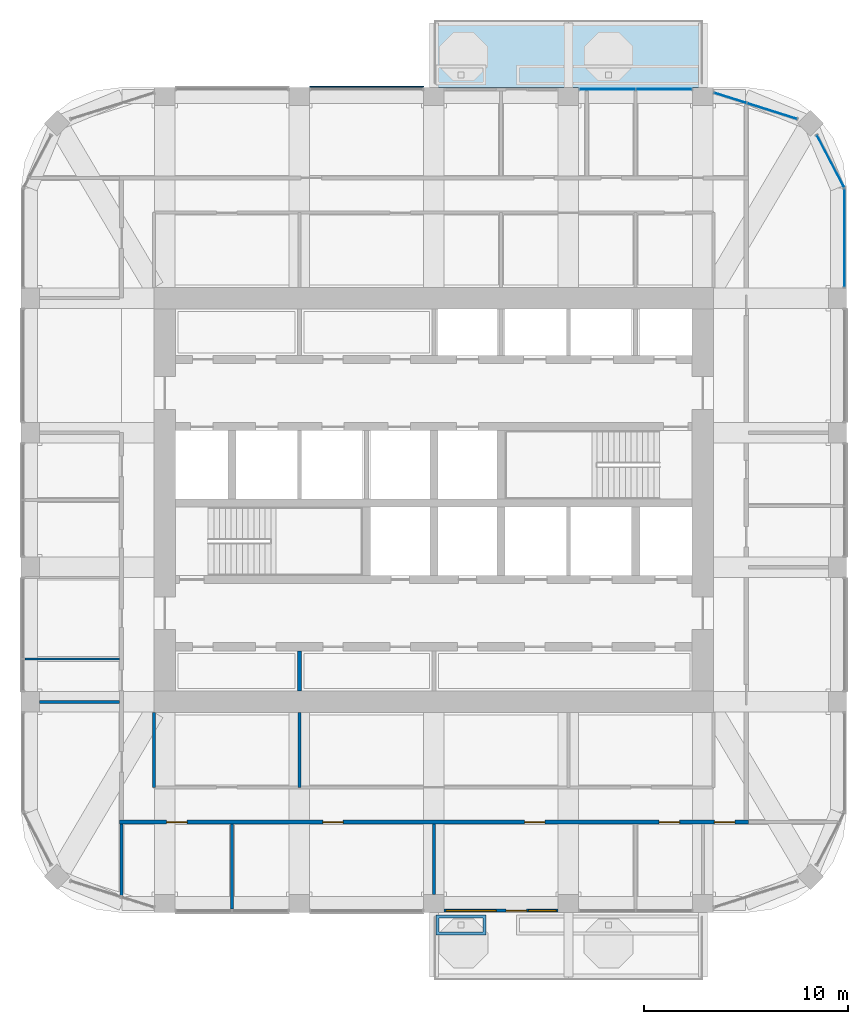
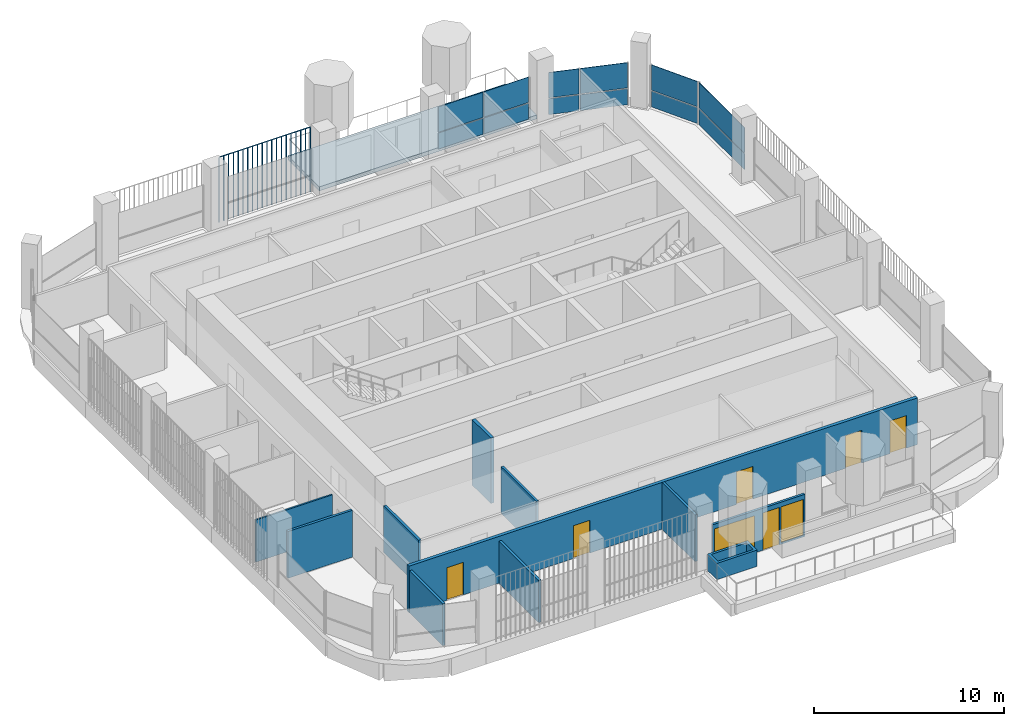
# One storey, part 13 of 21: 13 plates, 11 walls, 6 doors, 2 windows, 1 slab, 8 openings, 4 elements without a shape of their own.
"""IFC4 building model written with IfcOpenShell, lengths in metres."""

from ifc_helpers import new_model, si_unit, direction, frame, frame_2d, origin, origin_2d, place, context, subcontext, project, spatial, polyline, rectangle, outline, extrude, material, layer, layer_set, type_object, element, fill, aggregate, save


model = new_model("IFC4")

# Units and contexts
model_context = context("Model", 3, precision=1e-05, world=origin(), true_north=direction((0.0, 1.0)))
body_context = subcontext(model_context, "Body", "Model", "MODEL_VIEW")
ifc_project = project(units=[si_unit("LENGTHUNIT", "METRE"), si_unit("AREAUNIT", "SQUARE_METRE"), si_unit("VOLUMEUNIT", "CUBIC_METRE"), si_unit("PLANEANGLEUNIT", "RADIAN"), si_unit("MASSUNIT", "GRAM", prefix="KILO")], contexts=[model_context])

# Site, building, storey
site_placement = place(None, origin())
site = spatial("IfcSite", under=ifc_project, at=site_placement, CompositionType="ELEMENT")
building_placement = place(site_placement, origin())
building = spatial("IfcBuilding", under=site, at=building_placement, Name="Cobogo Forest Laboratory Tower", CompositionType="ELEMENT")
storey_placement = place(building_placement, frame((0.0, 0.0, 283.800048828125)))
storey = spatial("IfcBuildingStorey", under=building, at=storey_placement, Name="L65", CompositionType="ELEMENT", Elevation=283.800048828125)

# Slab
ifc_material_1 = material(Name="Concrete HA-40 (C40/50)", Category="concrete")
ifc_layer_1 = layer(ifc_material_1, 0.25)
ifc_layer_set_1 = layer_set([ifc_layer_1], Name="Balcony slab 250")
slab_type = type_object("IfcSlabType", Name="Balcony slab 250", PredefinedType="FLOOR", material=ifc_layer_set_1)
slab_placement = place(storey_placement, frame((0.0, 0.0, -0.25)))
element("IfcSlab", 1, at=slab_placement, inside=storey, type_object=slab_type, Name="Balcony BAL-N1 L65", PredefinedType="FLOOR", context=body_context, shape_type="SweptSolid", body=[
    extrude(outline(polyline([(26.39990234375, 43.35009765625), (39.60009765625, 43.35009765625), (39.60009765625, 46.64990234375), (26.39990234375, 46.64990234375), (26.39990234375, 43.35009765625)])), origin(), (0.0, 0.0, 1.0), 0.25),
])

# Curtain wall, plates
ifc_material_2 = material(Name="Aluminium curtain wall", Category="aluminium")
curtain_wall_type = type_object("IfcCurtainWallType", Name="CW-2 unitised curtain wall, solar control glazing, laboratory floors zones C and D", PredefinedType="USERDEFINED", material=ifc_material_2)
curtain_wall_1_placement = place(storey_placement, origin())
curtain_wall_1 = element("IfcCurtainWall", 2, at=curtain_wall_1_placement, inside=storey, type_object=curtain_wall_type, Name="Curtain wall 11 L65", ObjectType="UNITISED CURTAIN WALL", PredefinedType="USERDEFINED")
ifc_material_3 = material(Name="Solar control insulated glass", Category="glass")
ifc_layer_2 = layer(ifc_material_3, 0.031982421875)
ifc_layer_set_2 = layer_set([ifc_layer_2], Name="GP-2 solar control glass unit 32")
plate_type_1 = type_object("IfcPlateType", Name="GP-2 solar control glass unit 32", PredefinedType="CURTAIN_PANEL", material=ifc_layer_set_2)
plate_1_placement = place(storey_placement, frame((46.550048828125, 35.949951171875, 0.0), z_axis=(0.0, 0.0, 1.0), x_axis=(0.0, 1.0, 0.0)))
plate_1 = element("IfcPlate", 3, at=plate_1_placement, type_object=plate_type_1, Name="CW-2 panel 1.1", PredefinedType="CURTAIN_PANEL", context=body_context, shape_type="SweptSolid", body=[
    extrude(rectangle(XDim=4.780029296875, YDim=0.031982421875, at=origin_2d()), origin(), (0.0, 0.0, 1.0), 1.02001953125),
])
plate_2_placement = place(storey_placement, frame((46.550048828125, 35.949951171875, 1.079833984375), z_axis=(0.0, 0.0, 1.0), x_axis=(0.0, 1.0, 0.0)))
plate_2 = element("IfcPlate", 4, at=plate_2_placement, type_object=plate_type_1, Name="CW-2 panel 1.2", PredefinedType="CURTAIN_PANEL", context=body_context, shape_type="SweptSolid", body=[
    extrude(rectangle(XDim=4.780029296875, YDim=0.031982421875, at=origin_2d()), origin(), (0.0, 0.0, 1.0), 1.6201171875),
])
aggregate(curtain_wall_1, [plate_1, plate_2])

curtain_wall_2_placement = place(storey_placement, origin())
curtain_wall_2 = element("IfcCurtainWall", 5, at=curtain_wall_2_placement, inside=storey, type_object=curtain_wall_type, Name="Curtain wall 12 L65", ObjectType="UNITISED CURTAIN WALL", PredefinedType="USERDEFINED")
plate_3_placement = place(storey_placement, frame((45.85693359375, 39.721923828125, 0.0), z_axis=(0.0, 0.0, 1.0), x_axis=(-0.464283778337, 0.885686498245, 0.0)))
plate_3 = element("IfcPlate", 6, at=plate_3_placement, type_object=plate_type_1, Name="CW-2 panel 1.1", PredefinedType="CURTAIN_PANEL", context=body_context, shape_type="SweptSolid", body=[
    extrude(rectangle(XDim=2.864990234375, YDim=0.031982421875, at=origin_2d()), origin(), (0.0, 0.0, 1.0), 1.02001953125),
])
plate_4_placement = place(storey_placement, frame((45.85693359375, 39.721923828125, 1.079833984375), z_axis=(0.0, 0.0, 1.0), x_axis=(-0.464283778337, 0.885686498245, 0.0)))
plate_4 = element("IfcPlate", 7, at=plate_4_placement, type_object=plate_type_1, Name="CW-2 panel 1.2", PredefinedType="CURTAIN_PANEL", context=body_context, shape_type="SweptSolid", body=[
    extrude(rectangle(XDim=2.864990234375, YDim=0.031982421875, at=origin_2d()), origin(), (0.0, 0.0, 1.0), 1.6201171875),
])
aggregate(curtain_wall_2, [plate_3, plate_4])

curtain_wall_3_placement = place(storey_placement, origin())
curtain_wall_3 = element("IfcCurtainWall", 8, at=curtain_wall_3_placement, inside=storey, type_object=curtain_wall_type, Name="Curtain wall 13 L65", ObjectType="UNITISED CURTAIN WALL", PredefinedType="USERDEFINED")
plate_5_placement = place(storey_placement, frame((42.989501953125, 42.1796875, 0.0), z_axis=(0.0, 0.0, 1.0), x_axis=(-0.953581379409, 0.301135439371, 0.0)))
plate_5 = element("IfcPlate", 9, at=plate_5_placement, type_object=plate_type_1, Name="CW-2 panel 1.1", PredefinedType="CURTAIN_PANEL", context=body_context, shape_type="SweptSolid", body=[
    extrude(rectangle(XDim=2.541748046875, YDim=0.031982421875, at=origin_2d()), origin(), (0.0, 0.0, 1.0), 1.02001953125),
])
plate_6_placement = place(storey_placement, frame((42.989501953125, 42.1796875, 1.079833984375), z_axis=(0.0, 0.0, 1.0), x_axis=(-0.953581379409, 0.301135439371, 0.0)))
plate_6 = element("IfcPlate", 10, at=plate_6_placement, type_object=plate_type_1, Name="CW-2 panel 1.2", PredefinedType="CURTAIN_PANEL", context=body_context, shape_type="SweptSolid", body=[
    extrude(rectangle(XDim=2.541748046875, YDim=0.031982421875, at=origin_2d()), origin(), (0.0, 0.0, 1.0), 1.6201171875),
])
plate_7_placement = place(storey_placement, frame((40.93896484375, 42.8271484375, 0.0), z_axis=(0.0, 0.0, 1.0), x_axis=(-0.953581379409, 0.301135439371, 0.0)))
plate_7 = element("IfcPlate", 11, at=plate_7_placement, type_object=plate_type_1, Name="CW-2 panel 2.1", PredefinedType="CURTAIN_PANEL", context=body_context, shape_type="SweptSolid", body=[
    extrude(rectangle(XDim=1.639404296875, YDim=0.031982421875, at=origin_2d()), origin(), (0.0, 0.0, 1.0), 1.02001953125),
])
plate_8_placement = place(storey_placement, frame((40.93896484375, 42.8271484375, 1.079833984375), z_axis=(0.0, 0.0, 1.0), x_axis=(-0.953581379409, 0.301135439371, 0.0)))
plate_8 = element("IfcPlate", 12, at=plate_8_placement, type_object=plate_type_1, Name="CW-2 panel 2.2", PredefinedType="CURTAIN_PANEL", context=body_context, shape_type="SweptSolid", body=[
    extrude(rectangle(XDim=1.639404296875, YDim=0.031982421875, at=origin_2d()), origin(), (0.0, 0.0, 1.0), 1.6201171875),
])
aggregate(curtain_wall_3, [plate_5, plate_6, plate_7, plate_8])

curtain_wall_4_placement = place(storey_placement, origin())
curtain_wall_4 = element("IfcCurtainWall", 13, at=curtain_wall_4_placement, inside=storey, type_object=curtain_wall_type, Name="Curtain wall 14 L65", ObjectType="UNITISED CURTAIN WALL", PredefinedType="USERDEFINED")
plate_9_placement = place(storey_placement, frame((37.68505859375, 43.25, 0.0), z_axis=(0.0, 0.0, 1.0), x_axis=(-1.0, 0.0, 0.0)))
plate_9 = element("IfcPlate", 14, at=plate_9_placement, type_object=plate_type_1, Name="CW-2 panel 1.1", PredefinedType="CURTAIN_PANEL", context=body_context, shape_type="SweptSolid", body=[
    extrude(rectangle(XDim=2.7099609375, YDim=0.031982421875, at=origin_2d()), origin(), (0.0, 0.0, 1.0), 1.02001953125),
])
plate_10_placement = place(storey_placement, frame((37.68505859375, 43.25, 1.079833984375), z_axis=(0.0, 0.0, 1.0), x_axis=(-1.0, 0.0, 0.0)))
plate_10 = element("IfcPlate", 15, at=plate_10_placement, type_object=plate_type_1, Name="CW-2 panel 1.2", PredefinedType="CURTAIN_PANEL", context=body_context, shape_type="SweptSolid", body=[
    extrude(rectangle(XDim=2.7099609375, YDim=0.031982421875, at=origin_2d()), origin(), (0.0, 0.0, 1.0), 1.6201171875),
])
plate_11_placement = place(storey_placement, frame((34.9150390625, 43.25, 0.0), z_axis=(0.0, 0.0, 1.0), x_axis=(-1.0, 0.0, 0.0)))
plate_11 = element("IfcPlate", 16, at=plate_11_placement, type_object=plate_type_1, Name="CW-2 panel 2.1", PredefinedType="CURTAIN_PANEL", context=body_context, shape_type="SweptSolid", body=[
    extrude(rectangle(XDim=2.7099609375, YDim=0.031982421875, at=origin_2d()), origin(), (0.0, 0.0, 1.0), 1.02001953125),
])
plate_12_placement = place(storey_placement, frame((34.9150390625, 43.25, 1.079833984375), z_axis=(0.0, 0.0, 1.0), x_axis=(-1.0, 0.0, 0.0)))
plate_12 = element("IfcPlate", 17, at=plate_12_placement, type_object=plate_type_1, Name="CW-2 panel 2.2", PredefinedType="CURTAIN_PANEL", context=body_context, shape_type="SweptSolid", body=[
    extrude(rectangle(XDim=2.7099609375, YDim=0.031982421875, at=origin_2d()), origin(), (0.0, 0.0, 1.0), 1.6201171875),
])
aggregate(curtain_wall_4, [plate_9, plate_10, plate_11, plate_12])

# Plate
ifc_material_4 = material(Name="Terracotta", Category="masonry")
plate_type_2 = type_object("IfcPlateType", Name="TB1 terracotta baguette screen", PredefinedType="USERDEFINED", material=ifc_material_4)
plate_13_placement = place(storey_placement, frame((20.331298828125, 43.3779296875, -0.150146484375)))
element("IfcPlate", 18, at=plate_13_placement, inside=storey, type_object=plate_type_2, Name="Baguette screen N2 L65", ObjectType="BAGUETTE SCREEN", PredefinedType="USERDEFINED", context=body_context, shape_type="SweptSolid", body=[
    extrude(outline(polyline([(0.02880859375, 0.011962890625), (0.011962890625, 0.02880859375), (-0.011962890625, 0.02880859375), (-0.02880859375, 0.011962890625), (-0.02880859375, -0.011962890625), (-0.011962890625, -0.02880859375), (0.011962890625, -0.02880859375), (0.02880859375, -0.011962890625), (0.02880859375, 0.011962890625)])), frame((0.0, 0.0, 4.168701171875), z_axis=(1.0, 0.0, 0.0), x_axis=(0.0, 1.0, 0.0)), (0.0, 0.0, 1.0), 5.537353515625),
    extrude(outline(polyline([(0.02880859375, 0.011962890625), (0.011962890625, 0.02880859375), (-0.011962890625, 0.02880859375), (-0.02880859375, 0.011962890625), (-0.02880859375, -0.011962890625), (-0.011962890625, -0.02880859375), (0.011962890625, -0.02880859375), (0.02880859375, -0.011962890625), (0.02880859375, 0.011962890625)])), origin(), (0.0, 0.0, 1.0), 4.137451171875),
    extrude(outline(polyline([(0.02880859375, 0.011962890625), (0.011962890625, 0.02880859375), (-0.011962890625, 0.02880859375), (-0.02880859375, 0.011962890625), (-0.02880859375, -0.011962890625), (-0.011962890625, -0.02880859375), (0.011962890625, -0.02880859375), (0.02880859375, -0.011962890625), (0.02880859375, 0.011962890625)])), frame((0.29150390625, 0.0, 0.0)), (0.0, 0.0, 1.0), 4.137451171875),
    extrude(outline(polyline([(0.02880859375, 0.011962890625), (0.011962890625, 0.02880859375), (-0.011962890625, 0.02880859375), (-0.02880859375, 0.011962890625), (-0.02880859375, -0.011962890625), (-0.011962890625, -0.02880859375), (0.011962890625, -0.02880859375), (0.02880859375, -0.011962890625), (0.02880859375, 0.011962890625)])), frame((0.582763671875, 0.0, 0.0)), (0.0, 0.0, 1.0), 4.137451171875),
    extrude(outline(polyline([(0.02880859375, 0.011962890625), (0.011962890625, 0.02880859375), (-0.011962890625, 0.02880859375), (-0.02880859375, 0.011962890625), (-0.02880859375, -0.011962890625), (-0.011962890625, -0.02880859375), (0.011962890625, -0.02880859375), (0.02880859375, -0.011962890625), (0.02880859375, 0.011962890625)])), frame((0.874267578125, 0.0, 0.0)), (0.0, 0.0, 1.0), 4.137451171875),
    extrude(outline(polyline([(0.02880859375, 0.011962890625), (0.011962890625, 0.02880859375), (-0.011962890625, 0.02880859375), (-0.02880859375, 0.011962890625), (-0.02880859375, -0.011962890625), (-0.011962890625, -0.02880859375), (0.011962890625, -0.02880859375), (0.02880859375, -0.011962890625), (0.02880859375, 0.011962890625)])), frame((1.165771484375, 0.0, 0.0)), (0.0, 0.0, 1.0), 4.137451171875),
    extrude(outline(polyline([(0.02880859375, 0.011962890625), (0.011962890625, 0.02880859375), (-0.011962890625, 0.02880859375), (-0.02880859375, 0.011962890625), (-0.02880859375, -0.011962890625), (-0.011962890625, -0.02880859375), (0.011962890625, -0.02880859375), (0.02880859375, -0.011962890625), (0.02880859375, 0.011962890625)])), frame((1.457275390625, 0.0, 0.0)), (0.0, 0.0, 1.0), 4.137451171875),
    extrude(outline(polyline([(0.02880859375, 0.011962890625), (0.011962890625, 0.02880859375), (-0.011962890625, 0.02880859375), (-0.02880859375, 0.011962890625), (-0.02880859375, -0.011962890625), (-0.011962890625, -0.02880859375), (0.011962890625, -0.02880859375), (0.02880859375, -0.011962890625), (0.02880859375, 0.011962890625)])), frame((1.74853515625, 0.0, 0.0)), (0.0, 0.0, 1.0), 4.137451171875),
    extrude(outline(polyline([(0.02880859375, 0.011962890625), (0.011962890625, 0.02880859375), (-0.011962890625, 0.02880859375), (-0.02880859375, 0.011962890625), (-0.02880859375, -0.011962890625), (-0.011962890625, -0.02880859375), (0.011962890625, -0.02880859375), (0.02880859375, -0.011962890625), (0.02880859375, 0.011962890625)])), frame((2.0400390625, 0.0, 0.0)), (0.0, 0.0, 1.0), 4.137451171875),
    extrude(outline(polyline([(0.02880859375, 0.011962890625), (0.011962890625, 0.02880859375), (-0.011962890625, 0.02880859375), (-0.02880859375, 0.011962890625), (-0.02880859375, -0.011962890625), (-0.011962890625, -0.02880859375), (0.011962890625, -0.02880859375), (0.02880859375, -0.011962890625), (0.02880859375, 0.011962890625)])), frame((2.33154296875, 0.0, 0.0)), (0.0, 0.0, 1.0), 4.137451171875),
    extrude(outline(polyline([(0.02880859375, 0.011962890625), (0.011962890625, 0.02880859375), (-0.011962890625, 0.02880859375), (-0.02880859375, 0.011962890625), (-0.02880859375, -0.011962890625), (-0.011962890625, -0.02880859375), (0.011962890625, -0.02880859375), (0.02880859375, -0.011962890625), (0.02880859375, 0.011962890625)])), frame((2.623046875, 0.0, 0.0)), (0.0, 0.0, 1.0), 4.137451171875),
    extrude(outline(polyline([(0.02880859375, 0.011962890625), (0.011962890625, 0.02880859375), (-0.011962890625, 0.02880859375), (-0.02880859375, 0.011962890625), (-0.02880859375, -0.011962890625), (-0.011962890625, -0.02880859375), (0.011962890625, -0.02880859375), (0.02880859375, -0.011962890625), (0.02880859375, 0.011962890625)])), frame((2.914306640625, 0.0, 0.0)), (0.0, 0.0, 1.0), 4.137451171875),
    extrude(outline(polyline([(0.02880859375, 0.011962890625), (0.011962890625, 0.02880859375), (-0.011962890625, 0.02880859375), (-0.02880859375, 0.011962890625), (-0.02880859375, -0.011962890625), (-0.011962890625, -0.02880859375), (0.011962890625, -0.02880859375), (0.02880859375, -0.011962890625), (0.02880859375, 0.011962890625)])), frame((3.205810546875, 0.0, 0.0)), (0.0, 0.0, 1.0), 4.137451171875),
    extrude(outline(polyline([(0.02880859375, 0.011962890625), (0.011962890625, 0.02880859375), (-0.011962890625, 0.02880859375), (-0.02880859375, 0.011962890625), (-0.02880859375, -0.011962890625), (-0.011962890625, -0.02880859375), (0.011962890625, -0.02880859375), (0.02880859375, -0.011962890625), (0.02880859375, 0.011962890625)])), frame((3.497314453125, 0.0, 0.0)), (0.0, 0.0, 1.0), 4.137451171875),
    extrude(outline(polyline([(0.02880859375, 0.011962890625), (0.011962890625, 0.02880859375), (-0.011962890625, 0.02880859375), (-0.02880859375, 0.011962890625), (-0.02880859375, -0.011962890625), (-0.011962890625, -0.02880859375), (0.011962890625, -0.02880859375), (0.02880859375, -0.011962890625), (0.02880859375, 0.011962890625)])), frame((3.788818359375, 0.0, 0.0)), (0.0, 0.0, 1.0), 4.137451171875),
    extrude(outline(polyline([(0.02880859375, 0.011962890625), (0.011962890625, 0.02880859375), (-0.011962890625, 0.02880859375), (-0.02880859375, 0.011962890625), (-0.02880859375, -0.011962890625), (-0.011962890625, -0.02880859375), (0.011962890625, -0.02880859375), (0.02880859375, -0.011962890625), (0.02880859375, 0.011962890625)])), frame((4.080078125, 0.0, 0.0)), (0.0, 0.0, 1.0), 4.137451171875),
    extrude(outline(polyline([(0.02880859375, 0.011962890625), (0.011962890625, 0.02880859375), (-0.011962890625, 0.02880859375), (-0.02880859375, 0.011962890625), (-0.02880859375, -0.011962890625), (-0.011962890625, -0.02880859375), (0.011962890625, -0.02880859375), (0.02880859375, -0.011962890625), (0.02880859375, 0.011962890625)])), frame((4.37158203125, 0.0, 0.0)), (0.0, 0.0, 1.0), 4.137451171875),
    extrude(outline(polyline([(0.02880859375, 0.011962890625), (0.011962890625, 0.02880859375), (-0.011962890625, 0.02880859375), (-0.02880859375, 0.011962890625), (-0.02880859375, -0.011962890625), (-0.011962890625, -0.02880859375), (0.011962890625, -0.02880859375), (0.02880859375, -0.011962890625), (0.02880859375, 0.011962890625)])), frame((4.6630859375, 0.0, 0.0)), (0.0, 0.0, 1.0), 4.137451171875),
    extrude(outline(polyline([(0.02880859375, 0.011962890625), (0.011962890625, 0.02880859375), (-0.011962890625, 0.02880859375), (-0.02880859375, 0.011962890625), (-0.02880859375, -0.011962890625), (-0.011962890625, -0.02880859375), (0.011962890625, -0.02880859375), (0.02880859375, -0.011962890625), (0.02880859375, 0.011962890625)])), frame((4.95458984375, 0.0, 0.0)), (0.0, 0.0, 1.0), 4.137451171875),
    extrude(outline(polyline([(0.02880859375, 0.011962890625), (0.011962890625, 0.02880859375), (-0.011962890625, 0.02880859375), (-0.02880859375, 0.011962890625), (-0.02880859375, -0.011962890625), (-0.011962890625, -0.02880859375), (0.011962890625, -0.02880859375), (0.02880859375, -0.011962890625), (0.02880859375, 0.011962890625)])), frame((5.245849609375, 0.0, 0.0)), (0.0, 0.0, 1.0), 4.137451171875),
    extrude(outline(polyline([(0.02880859375, 0.011962890625), (0.011962890625, 0.02880859375), (-0.011962890625, 0.02880859375), (-0.02880859375, 0.011962890625), (-0.02880859375, -0.011962890625), (-0.011962890625, -0.02880859375), (0.011962890625, -0.02880859375), (0.02880859375, -0.011962890625), (0.02880859375, 0.011962890625)])), frame((5.537353515625, 0.0, 0.0)), (0.0, 0.0, 1.0), 4.137451171875),
])

# Wall, openings, door, windows
ifc_material_5 = material(Name="Aluminium framed glazed screen", Category="aluminium")
ifc_layer_3 = layer(ifc_material_5, 0.14990234375)
ifc_layer_set_3 = layer_set([ifc_layer_3], Name="GS1 glazed door screen 150")
wall_type_1 = type_object("IfcWallType", Name="GS1 glazed door screen 150", PredefinedType="SOLIDWALL", material=ifc_layer_set_3)
wall_1_placement = place(storey_placement, frame((26.89990234375, 2.949951171875, 0.0), z_axis=(0.0, 0.0, 1.0), x_axis=(1.0, 0.0, 0.0)))
wall_1 = element("IfcWall", 19, at=wall_1_placement, inside=storey, type_object=wall_type_1, Name="Door screen BAL-S1 L65", PredefinedType="SOLIDWALL", context=body_context, shape_type="SweptSolid", body=[
    extrude(rectangle(XDim=5.60009765625, YDim=0.14990234375, at=frame_2d((2.800048828125, 0.0))), origin(), (0.0, 0.0, 1.0), 2.699951171875),
])
opening_1_placement = place(wall_1_placement, frame((3.050048828125, 0.0, 0.0)))
opening_1 = element("IfcOpeningElement", 20, at=opening_1_placement, cuts=wall_1, Name="Opening L65-D01", PredefinedType="OPENING", context=body_context, shape_type="SweptSolid", body=[
    extrude(rectangle(XDim=1.0, YDim=2.39990234375, at=frame_2d((0.5, 1.199951171875))), frame((0.0, 0.0849609375, 0.0), z_axis=(0.0, -1.0, 0.0), x_axis=(1.0, 0.0, 0.0)), (0.0, 0.0, 1.0), 0.169921875),
])
opening_2_placement = place(wall_1_placement, frame((0.10009765625, 0.0, 0.10009765625)))
opening_2 = element("IfcOpeningElement", 21, at=opening_2_placement, cuts=wall_1, Name="Opening L65-W01", PredefinedType="OPENING", context=body_context, shape_type="SweptSolid", body=[
    extrude(rectangle(XDim=2.449951171875, YDim=2.300048828125, at=frame_2d((1.22509765625, 1.14990234375))), frame((0.0, 0.0849609375, 0.0), z_axis=(0.0, -1.0, 0.0), x_axis=(1.0, 0.0, 0.0)), (0.0, 0.0, 1.0), 0.169921875),
])
opening_3_placement = place(wall_1_placement, frame((4.14990234375, 0.0, 0.10009765625)))
opening_3 = element("IfcOpeningElement", 22, at=opening_3_placement, cuts=wall_1, Name="Opening L65-W02", PredefinedType="OPENING", context=body_context, shape_type="SweptSolid", body=[
    extrude(rectangle(XDim=1.35009765625, YDim=2.300048828125, at=frame_2d((0.675048828125, 1.14990234375))), frame((0.0, 0.0849609375, 0.0), z_axis=(0.0, -1.0, 0.0), x_axis=(1.0, 0.0, 0.0)), (0.0, 0.0, 1.0), 0.169921875),
])
ifc_material_6 = material(Name="Aluminium glazed door", Category="aluminium")
door_type_1 = type_object("IfcDoorType", Name="DB1 balcony door 1000 glazed", OperationType="SINGLE_SWING_LEFT", PredefinedType="DOOR", material=ifc_material_6)
door_1_placement = place(opening_1_placement, origin())
door_1 = element("IfcDoor", 23, at=door_1_placement, inside=storey, type_object=door_type_1, Name="Door L65-BAL-S1", OperationType="SINGLE_SWING_RIGHT", OverallHeight=2.39990234375, OverallWidth=1.0, PredefinedType="DOOR", context=body_context, shape_type="SweptSolid", body=[
    extrude(rectangle(XDim=1.0, YDim=2.39990234375, at=frame_2d((0.5, 1.199951171875))), frame((0.0, 0.02490234375, 0.0), z_axis=(0.0, -1.0, 0.0), x_axis=(1.0, 0.0, 0.0)), (0.0, 0.0, 1.0), 0.050048828125),
])
fill(opening_1, door_1)
ifc_material_7 = material(Name="Aluminium framed glazing", Category="aluminium")
window_type_1 = type_object("IfcWindowType", Name="WG23 fixed glazed light 2450x2300", PartitioningType="SINGLE_PANEL", PredefinedType="WINDOW", material=ifc_material_7)
window_1_placement = place(opening_2_placement, origin())
window_1 = element("IfcWindow", 24, at=window_1_placement, inside=storey, type_object=window_type_1, Name="Window L65-BAL-S1-1", OverallHeight=2.300048828125, OverallWidth=2.449951171875, PartitioningType="SINGLE_PANEL", PredefinedType="WINDOW", context=body_context, shape_type="SweptSolid", body=[
    extrude(rectangle(XDim=2.449951171875, YDim=2.300048828125, at=frame_2d((1.22509765625, 1.14990234375))), frame((0.0, 0.030029296875, 0.0), z_axis=(0.0, -1.0, 0.0), x_axis=(1.0, 0.0, 0.0)), (0.0, 0.0, 1.0), 0.06005859375),
])
fill(opening_2, window_1)
window_type_2 = type_object("IfcWindowType", Name="WG24 fixed glazed light 1350x2300", PartitioningType="SINGLE_PANEL", PredefinedType="WINDOW", material=ifc_material_7)
window_2_placement = place(opening_3_placement, origin())
window_2 = element("IfcWindow", 25, at=window_2_placement, inside=storey, type_object=window_type_2, Name="Window L65-BAL-S1-2", OverallHeight=2.300048828125, OverallWidth=1.35009765625, PartitioningType="SINGLE_PANEL", PredefinedType="WINDOW", context=body_context, shape_type="SweptSolid", body=[
    extrude(rectangle(XDim=1.35009765625, YDim=2.300048828125, at=frame_2d((0.675048828125, 1.14990234375))), frame((0.0, 0.030029296875, 0.0), z_axis=(0.0, -1.0, 0.0), x_axis=(1.0, 0.0, 0.0)), (0.0, 0.0, 1.0), 0.06005859375),
])
fill(opening_3, window_2)

# Walls
ifc_material_8 = material(Name="Gypsum board on steel studs", Category="steel")
ifc_layer_4 = layer(ifc_material_8, 0.14990234375)
ifc_layer_set_4 = layer_set([ifc_layer_4], Name="PT1 laboratory partition 150")
wall_type_2 = type_object("IfcWallType", Name="PT1 laboratory partition 150", PredefinedType="PARTITIONING", material=ifc_layer_set_4)
for number, where, z_axis, x_axis, name in (
    (26, (12.675048828125, 12.675048828125, 0.0), (0.0, 0.0, 1.0), (0.0, -1.0, 0.0), "Partition CSTRIP-SW L65"),
    (27, (19.800048828125, 12.675048828125, 0.0), (0.0, 0.0, 1.0), (0.0, -1.0, 0.0), "Partition CSTRIP-S19.8 L65"),
):
    element("IfcWall", number, at=place(storey_placement, frame(where, z_axis=z_axis, x_axis=x_axis)), inside=storey, type_object=wall_type_2, Name=name, PredefinedType="PARTITIONING", context=body_context, shape_type="SweptSolid", body=[
        extrude(rectangle(XDim=3.675048828125, YDim=0.14990234375, at=frame_2d((1.83740234375, 0.0))), origin(), (0.0, 0.0, 1.0), 3.0),
    ])
wall_2_placement = place(storey_placement, frame((11.074951171875, 3.705078125, 0.0), z_axis=(0.0, 0.0, 1.0), x_axis=(0.0, 1.0, 0.0)))
element("IfcWall", 28, at=wall_2_placement, inside=storey, type_object=wall_type_2, Name="Partition PW-SW L65", PredefinedType="PARTITIONING", context=body_context, shape_type="SweptSolid", body=[
    extrude(rectangle(XDim=3.494873046875, YDim=0.14990234375, at=frame_2d((1.74755859375, 0.0))), origin(), (0.0, 0.0, 1.0), 2.699951171875),
])
wall_3_placement = place(storey_placement, frame((16.5, 3.030029296875, 0.0), z_axis=(0.0, 0.0, 1.0), x_axis=(0.0, 1.0, 0.0)))
element("IfcWall", 29, at=wall_3_placement, inside=storey, type_object=wall_type_2, Name="Partition CUT-S16.5-1 L65", PredefinedType="PARTITIONING", context=body_context, shape_type="SweptSolid", body=[
    extrude(rectangle(XDim=4.169921875, YDim=0.14990234375, at=frame_2d((2.0849609375, 0.0))), origin(), (0.0, 0.0, 1.0), 2.699951171875),
])
wall_4_placement = place(storey_placement, frame((26.39990234375, 3.75, 0.0), z_axis=(0.0, 0.0, 1.0), x_axis=(0.0, 1.0, 0.0)))
element("IfcWall", 30, at=wall_4_placement, inside=storey, type_object=wall_type_2, Name="Partition CUT-S26.4-1 L65", PredefinedType="PARTITIONING", context=body_context, shape_type="SweptSolid", body=[
    extrude(rectangle(XDim=3.449951171875, YDim=0.14990234375, at=frame_2d((1.72509765625, 0.0))), origin(), (0.0, 0.0, 1.0), 3.0),
])
wall_5_placement = place(storey_placement, frame((7.050048828125, 13.199951171875, 0.0), z_axis=(0.0, 0.0, 1.0), x_axis=(1.0, 0.0, 0.0)))
element("IfcWall", 31, at=wall_5_placement, inside=storey, type_object=wall_type_2, Name="Partition CUT-W13.2-1 L65", PredefinedType="PARTITIONING", context=body_context, shape_type="SweptSolid", body=[
    extrude(rectangle(XDim=3.925048828125, YDim=0.14990234375, at=frame_2d((1.96240234375, 0.0))), origin(), (0.0, 0.0, 1.0), 3.0),
])

# Wall, openings, doors
ifc_layer_5 = layer(ifc_material_8, 0.199951171875)
ifc_layer_set_5 = layer_set([ifc_layer_5], Name="PT2 fire-rated corridor partition 200")
wall_type_3 = type_object("IfcWallType", Name="PT2 fire-rated corridor partition 200", PredefinedType="PARTITIONING", material=ifc_layer_set_5)
wall_6_placement = place(storey_placement, frame((10.97509765625, 7.300048828125, 0.0), z_axis=(0.0, 0.0, 1.0), x_axis=(1.0, 0.0, 0.0)))
wall_6 = element("IfcWall", 32, at=wall_6_placement, inside=storey, type_object=wall_type_3, Name="Partition CORR-S L65", PredefinedType="PARTITIONING", context=body_context, shape_type="SweptSolid", body=[
    extrude(rectangle(XDim=30.849853515625, YDim=0.199951171875, at=frame_2d((15.4248046875, 0.0))), origin(), (0.0, 0.0, 1.0), 3.0),
])
opening_4_placement = place(wall_6_placement, frame((2.3125, 0.0, 0.0)))
opening_4 = element("IfcOpeningElement", 33, at=opening_4_placement, cuts=wall_6, Name="Opening L65-D02", PredefinedType="OPENING", context=body_context, shape_type="SweptSolid", body=[
    extrude(rectangle(XDim=1.0, YDim=2.10009765625, at=frame_2d((0.5, 1.050048828125))), frame((0.0, 0.10986328125, 0.0), z_axis=(0.0, -1.0, 0.0), x_axis=(1.0, 0.0, 0.0)), (0.0, 0.0, 1.0), 0.219970703125),
])
opening_5_placement = place(wall_6_placement, frame((9.97509765625, 0.0, 0.0)))
opening_5 = element("IfcOpeningElement", 34, at=opening_5_placement, cuts=wall_6, Name="Opening L65-D03", PredefinedType="OPENING", context=body_context, shape_type="SweptSolid", body=[
    extrude(rectangle(XDim=1.0, YDim=2.10009765625, at=frame_2d((0.5, 1.050048828125))), frame((0.0, 0.10986328125, 0.0), z_axis=(0.0, -1.0, 0.0), x_axis=(1.0, 0.0, 0.0)), (0.0, 0.0, 1.0), 0.219970703125),
])
opening_6_placement = place(wall_6_placement, frame((19.875, 0.0, 0.0)))
opening_6 = element("IfcOpeningElement", 35, at=opening_6_placement, cuts=wall_6, Name="Opening L65-D04", PredefinedType="OPENING", context=body_context, shape_type="SweptSolid", body=[
    extrude(rectangle(XDim=1.0, YDim=2.10009765625, at=frame_2d((0.5, 1.050048828125))), frame((0.0, 0.10986328125, 0.0), z_axis=(0.0, -1.0, 0.0), x_axis=(1.0, 0.0, 0.0)), (0.0, 0.0, 1.0), 0.219970703125),
])
opening_7_placement = place(wall_6_placement, frame((26.47509765625, 0.0, 0.0)))
opening_7 = element("IfcOpeningElement", 36, at=opening_7_placement, cuts=wall_6, Name="Opening L65-D05", PredefinedType="OPENING", context=body_context, shape_type="SweptSolid", body=[
    extrude(rectangle(XDim=1.0, YDim=2.10009765625, at=frame_2d((0.5, 1.050048828125))), frame((0.0, 0.10986328125, 0.0), z_axis=(0.0, -1.0, 0.0), x_axis=(1.0, 0.0, 0.0)), (0.0, 0.0, 1.0), 0.219970703125),
])
opening_8_placement = place(wall_6_placement, frame((29.1875, 0.0, 0.0)))
opening_8 = element("IfcOpeningElement", 37, at=opening_8_placement, cuts=wall_6, Name="Opening L65-D06", PredefinedType="OPENING", context=body_context, shape_type="SweptSolid", body=[
    extrude(rectangle(XDim=1.0, YDim=2.10009765625, at=frame_2d((0.5, 1.050048828125))), frame((0.0, 0.10986328125, 0.0), z_axis=(0.0, -1.0, 0.0), x_axis=(1.0, 0.0, 0.0)), (0.0, 0.0, 1.0), 0.219970703125),
])
ifc_material_9 = material(Name="Timber fire door", Category="wood")
door_type_2 = type_object("IfcDoorType", Name="FD2 fire door 1000 EI2 30", OperationType="SINGLE_SWING_LEFT", PredefinedType="DOOR", material=ifc_material_9)
door_2_placement = place(opening_4_placement, origin())
door_2 = element("IfcDoor", 38, at=door_2_placement, inside=storey, type_object=door_type_2, Name="Door L65-S1", OperationType="SINGLE_SWING_LEFT", OverallHeight=2.10009765625, OverallWidth=1.0, PredefinedType="DOOR", context=body_context, shape_type="SweptSolid", body=[
    extrude(rectangle(XDim=1.0, YDim=2.10009765625, at=frame_2d((0.5, 1.050048828125))), frame((0.0, 0.02490234375, 0.0), z_axis=(0.0, -1.0, 0.0), x_axis=(1.0, 0.0, 0.0)), (0.0, 0.0, 1.0), 0.050048828125),
])
fill(opening_4, door_2)
door_3_placement = place(opening_5_placement, origin())
door_3 = element("IfcDoor", 39, at=door_3_placement, inside=storey, type_object=door_type_2, Name="Door L65-S2", OperationType="SINGLE_SWING_LEFT", OverallHeight=2.10009765625, OverallWidth=1.0, PredefinedType="DOOR", context=body_context, shape_type="SweptSolid", body=[
    extrude(rectangle(XDim=1.0, YDim=2.10009765625, at=frame_2d((0.5, 1.050048828125))), frame((0.0, 0.02490234375, 0.0), z_axis=(0.0, -1.0, 0.0), x_axis=(1.0, 0.0, 0.0)), (0.0, 0.0, 1.0), 0.050048828125),
])
fill(opening_5, door_3)
door_4_placement = place(opening_6_placement, origin())
door_4 = element("IfcDoor", 40, at=door_4_placement, inside=storey, type_object=door_type_2, Name="Door L65-S3", OperationType="SINGLE_SWING_RIGHT", OverallHeight=2.10009765625, OverallWidth=1.0, PredefinedType="DOOR", context=body_context, shape_type="SweptSolid", body=[
    extrude(rectangle(XDim=1.0, YDim=2.10009765625, at=frame_2d((0.5, 1.050048828125))), frame((0.0, 0.02490234375, 0.0), z_axis=(0.0, -1.0, 0.0), x_axis=(1.0, 0.0, 0.0)), (0.0, 0.0, 1.0), 0.050048828125),
])
fill(opening_6, door_4)
door_5_placement = place(opening_7_placement, origin())
door_5 = element("IfcDoor", 41, at=door_5_placement, inside=storey, type_object=door_type_2, Name="Door L65-S4", OperationType="SINGLE_SWING_RIGHT", OverallHeight=2.10009765625, OverallWidth=1.0, PredefinedType="DOOR", context=body_context, shape_type="SweptSolid", body=[
    extrude(rectangle(XDim=1.0, YDim=2.10009765625, at=frame_2d((0.5, 1.050048828125))), frame((0.0, 0.02490234375, 0.0), z_axis=(0.0, -1.0, 0.0), x_axis=(1.0, 0.0, 0.0)), (0.0, 0.0, 1.0), 0.050048828125),
])
fill(opening_7, door_5)
door_6_placement = place(opening_8_placement, origin())
door_6 = element("IfcDoor", 42, at=door_6_placement, inside=storey, type_object=door_type_2, Name="Door L65-S5", OperationType="SINGLE_SWING_RIGHT", OverallHeight=2.10009765625, OverallWidth=1.0, PredefinedType="DOOR", context=body_context, shape_type="SweptSolid", body=[
    extrude(rectangle(XDim=1.0, YDim=2.10009765625, at=frame_2d((0.5, 1.050048828125))), frame((0.0, 0.02490234375, 0.0), z_axis=(0.0, -1.0, 0.0), x_axis=(1.0, 0.0, 0.0)), (0.0, 0.0, 1.0), 0.050048828125),
])
fill(opening_8, door_6)

# Walls
ifc_layer_6 = layer(ifc_material_8, 0.10009765625)
ifc_layer_set_6 = layer_set([ifc_layer_6], Name="PT3 toilet partition 100")
wall_type_4 = type_object("IfcWallType", Name="PT3 toilet partition 100", PredefinedType="PARTITIONING", material=ifc_layer_set_6)
wall_7_placement = place(storey_placement, frame((6.330078125, 15.300048828125, 0.0), z_axis=(0.0, 0.0, 1.0), x_axis=(1.0, 0.0, 0.0)))
element("IfcWall", 43, at=wall_7_placement, inside=storey, type_object=wall_type_4, Name="Partition SVC-W1-1 L65", PredefinedType="PARTITIONING", context=body_context, shape_type="SweptSolid", body=[
    extrude(rectangle(XDim=4.64501953125, YDim=0.10009765625, at=frame_2d((2.322509765625, 0.0))), origin(), (0.0, 0.0, 1.0), 2.699951171875),
])
ifc_layer_7 = layer(ifc_material_1, 0.14990234375)
ifc_layer_set_7 = layer_set([ifc_layer_7], Name="Planter box 1000x1050")
wall_type_5 = type_object("IfcWallType", Name="Planter box 1000x1050", PredefinedType="USERDEFINED", material=ifc_layer_set_7)
wall_8_placement = place(storey_placement, origin())
element("IfcWall", 44, at=wall_8_placement, inside=storey, type_object=wall_type_5, Name="Planter BAL-S1-1 L65", ObjectType="PLANTER", PredefinedType="USERDEFINED", context=body_context, shape_type="SweptSolid", body=[
    extrude(outline(polyline([(26.5, 1.75), (28.949951171875, 1.75), (28.949951171875, 2.75), (26.5, 2.75), (26.5, 1.75)]), holes=[polyline([(26.64990234375, 1.89990234375), (28.800048828125, 1.89990234375), (28.800048828125, 2.60009765625), (26.64990234375, 2.60009765625), (26.64990234375, 1.89990234375)])]), origin(), (0.0, 0.0, 1.0), 1.050048828125),
])
ifc_material_10 = material(Name="Concrete block", Category="concrete")
ifc_layer_8 = layer(ifc_material_10, 0.199951171875)
ifc_layer_set_8 = layer_set([ifc_layer_8], Name="SW200 lift shaft separator 200")
wall_type_6 = type_object("IfcWallType", Name="SW200 lift shaft separator 200", PredefinedType="PARTITIONING", material=ifc_layer_set_8)
wall_9_placement = place(storey_placement, frame((19.800048828125, 13.72509765625, 0.0), z_axis=(0.0, 0.0, 1.0), x_axis=(0.0, 1.0, 0.0)))
element("IfcWall", 45, at=wall_9_placement, inside=storey, type_object=wall_type_6, Name="Core wall SEP-S2 L65", PredefinedType="PARTITIONING", context=body_context, shape_type="SweptSolid", body=[
    extrude(rectangle(XDim=1.974853515625, YDim=0.199951171875, at=frame_2d((0.9873046875, 0.0))), origin(), (0.0, 0.0, 1.0), 4.199951171875),
])

save(model, "model.ifc")
